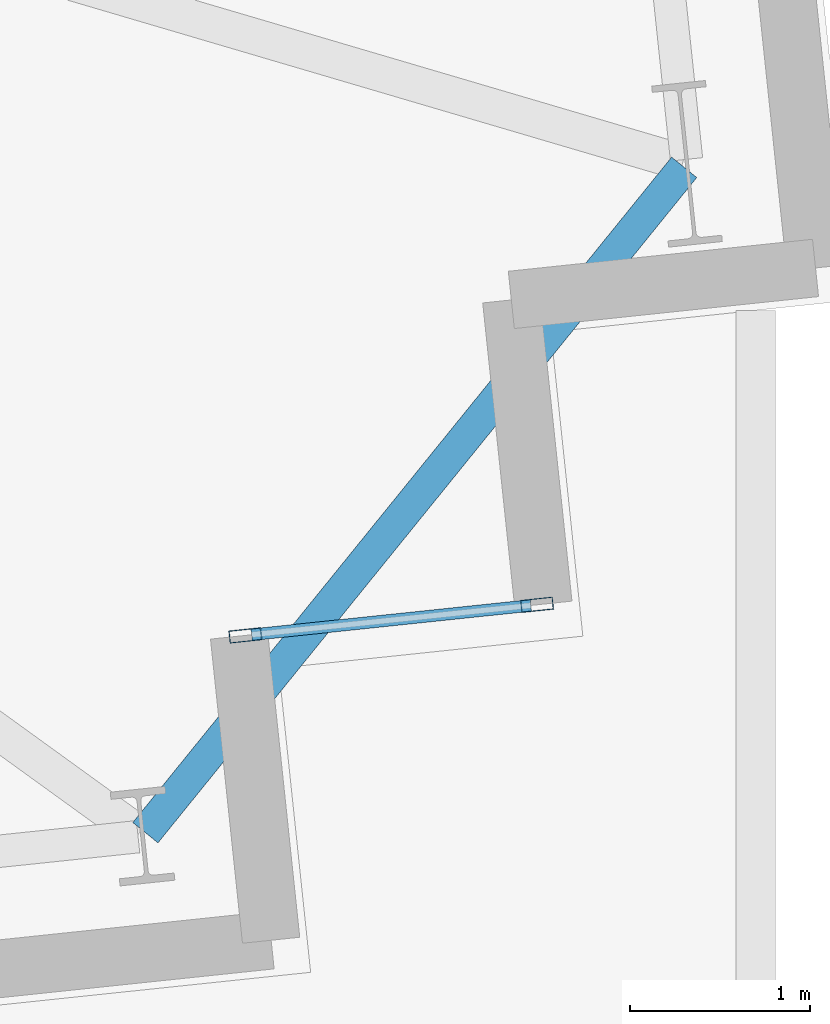
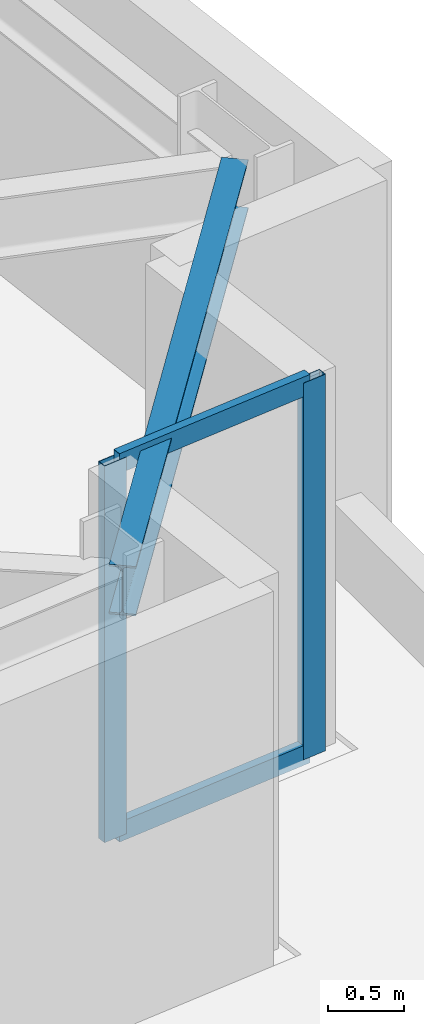
# One storey, part 6 of 20: 4 members, 1 beam, 1 element without a shape of its own.
"""IFC4 building model written with IfcOpenShell, lengths in metres."""

from ifc_helpers import new_model, si_unit, direction, frame, origin, origin_2d, place, context, subcontext, project, spatial, hollow_rectangle, i_section, extrude, material, layer, layer_set, material_profile, profile_set, type_object, element, aggregate, save


model = new_model("IFC4")

# Units and contexts
model_context = context("Model", 3, precision=1e-05, world=origin(), true_north=direction((0.0, 1.0)))
body_context = subcontext(model_context, "Body", "Model", "MODEL_VIEW")
ifc_project = project(units=[si_unit("LENGTHUNIT", "METRE"), si_unit("AREAUNIT", "SQUARE_METRE"), si_unit("VOLUMEUNIT", "CUBIC_METRE"), si_unit("PLANEANGLEUNIT", "RADIAN"), si_unit("MASSUNIT", "GRAM", prefix="KILO")], contexts=[model_context])

# Site, building, storey
site_placement = place(None, origin())
site = spatial("IfcSite", under=ifc_project, at=site_placement, CompositionType="ELEMENT")
building_placement = place(site_placement, origin())
building = spatial("IfcBuilding", under=site, at=building_placement, Name="Qobustan Lattice House", CompositionType="ELEMENT")
storey_placement = place(building_placement, frame((0.0, 0.0, 79.0)))
storey = spatial("IfcBuildingStorey", under=building, at=storey_placement, Name="L21", CompositionType="ELEMENT", Elevation=79.0)

# Beam
ifc_material_1 = material(Name="Steel S355", Category="steel")
ifc_material_profile_1 = material_profile(ifc_material_1, i_section(OverallWidth=0.179931640625, OverallDepth=0.39990234375, WebThickness=0.008544921875, FlangeThickness=0.013427734375, FilletRadius=0.02099609375, at=origin_2d()), Name="IPE400")
ifc_profile_set_1 = profile_set([ifc_material_profile_1], Name="Steel S355")
beam_type = type_object("IfcBeamType", Name="BM-SPD-IPE400", PredefinedType="SPANDREL", material=ifc_profile_set_1)
beam_placement = place(storey_placement, frame((29.608642578125, -13.3876953125, 2.844970703125), z_axis=(0.629351720588, 0.777120590252, 0.0), x_axis=(-0.777120590252, 0.629351720588, 0.0)))
element("IfcBeam", 1, at=beam_placement, inside=storey, type_object=beam_type, Name="L21 perimeter spandrel S7-E1", PredefinedType="SPANDREL", context=body_context, shape_type="SweptSolid", body=[
    extrude(i_section(OverallWidth=0.179931640625, OverallDepth=0.39990234375, WebThickness=0.008544921875, FlangeThickness=0.013427734375, FilletRadius=0.02099609375, at=origin_2d()), origin(), (0.0, 0.0, 1.0), 4.75830078125),
])

# Curtain wall, members
ifc_material_2 = material(Name="Anodised aluminium and low-E glazing", Category="aluminium")
ifc_layer = layer(ifc_material_2, 0.219970703125)
ifc_layer_set = layer_set([ifc_layer], Name="Anodised aluminium and low-E glazing")
curtain_wall_type = type_object("IfcCurtainWallType", Name="CW-FAC-01", PredefinedType="USERDEFINED", material=ifc_layer_set)
curtain_wall_placement = place(storey_placement, origin())
curtain_wall = element("IfcCurtainWall", 2, at=curtain_wall_placement, inside=storey, type_object=curtain_wall_type, Name="L21 serrated corner faceted glazing 18", ObjectType="CURTAIN WALL", PredefinedType="USERDEFINED")
ifc_material_3 = material(Name="Anodised aluminium EN AW-6063 T6", Category="aluminium")
ifc_material_profile_2 = material_profile(ifc_material_3, hollow_rectangle(XDim=0.070068359375, YDim=0.179931640625, WallThickness=0.00439453125, at=origin_2d()), Name="CWM-180x70")
ifc_profile_set_2 = profile_set([ifc_material_profile_2], Name="Anodised aluminium EN AW-6063 T6")
member_type_1 = type_object("IfcMemberType", Name="CWM-STD-180", PredefinedType="MULLION", material=ifc_profile_set_2)
member_1_placement = place(storey_placement, frame((31.785400390625, -12.12109375, 0.0), z_axis=(0.0, 0.0, 1.0), x_axis=(0.104528620025, -0.994521878892, 0.0)))
member_1 = element("IfcMember", 3, at=member_1_placement, type_object=member_type_1, Name="CW-F1 mullion 1", PredefinedType="MULLION", context=body_context, shape_type="SweptSolid", body=[
    extrude(hollow_rectangle(XDim=0.070068359375, YDim=0.179931640625, WallThickness=0.00439453125, at=origin_2d()), origin(), (0.0, 0.0, 1.0), 3.044921875),
])
member_2_placement = place(storey_placement, frame((30.164306640625, -12.29150390625, 0.0), z_axis=(0.0, 0.0, 1.0), x_axis=(0.104528620025, -0.994521878892, 0.0)))
member_2 = element("IfcMember", 4, at=member_2_placement, type_object=member_type_1, Name="CW-F1 mullion 2", PredefinedType="MULLION", context=body_context, shape_type="SweptSolid", body=[
    extrude(hollow_rectangle(XDim=0.070068359375, YDim=0.179931640625, WallThickness=0.00439453125, at=origin_2d()), origin(), (0.0, 0.0, 1.0), 3.044921875),
])
ifc_material_4 = material(Name="Anodised aluminium EN AW-6063 T6", Category="aluminium")
ifc_material_profile_3 = material_profile(ifc_material_4, hollow_rectangle(XDim=0.06494140625, YDim=0.159912109375, WallThickness=0.00390625, at=origin_2d()), Name="CWT-160x65")
ifc_profile_set_3 = profile_set([ifc_material_profile_3], Name="Anodised aluminium EN AW-6063 T6")
member_type_2 = type_object("IfcMemberType", Name="CWT-HOR-160", PredefinedType="USERDEFINED", material=ifc_profile_set_3)
member_3_placement = place(storey_placement, frame((31.750732421875, -12.124755859375, 0.032470703125), z_axis=(-0.994520877159, -0.104538150424, 0.0), x_axis=(0.104538150424, -0.994520877159, 0.0)))
member_3 = element("IfcMember", 5, at=member_3_placement, type_object=member_type_2, Name="CW-F1 transom 1.1", ObjectType="TRANSOM", PredefinedType="USERDEFINED", context=body_context, shape_type="SweptSolid", body=[
    extrude(hollow_rectangle(XDim=0.06494140625, YDim=0.159912109375, WallThickness=0.00390625, at=origin_2d()), origin(), (0.0, 0.0, 1.0), 1.56005859375),
])
member_4_placement = place(storey_placement, frame((31.750732421875, -12.124755859375, 3.012451171875), z_axis=(-0.994520877159, -0.104538150424, 0.0), x_axis=(0.104538150424, -0.994520877159, 0.0)))
member_4 = element("IfcMember", 6, at=member_4_placement, type_object=member_type_2, Name="CW-F1 transom 1.2", ObjectType="TRANSOM", PredefinedType="USERDEFINED", context=body_context, shape_type="SweptSolid", body=[
    extrude(hollow_rectangle(XDim=0.06494140625, YDim=0.159912109375, WallThickness=0.00390625, at=origin_2d()), origin(), (0.0, 0.0, 1.0), 1.56005859375),
])
aggregate(curtain_wall, [member_1, member_2, member_3, member_4])

save(model, "model.ifc")
